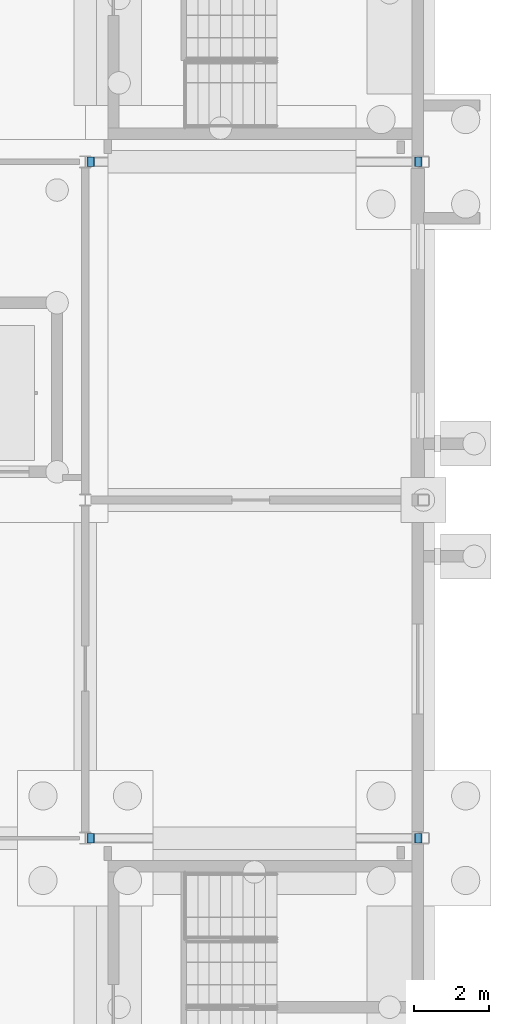
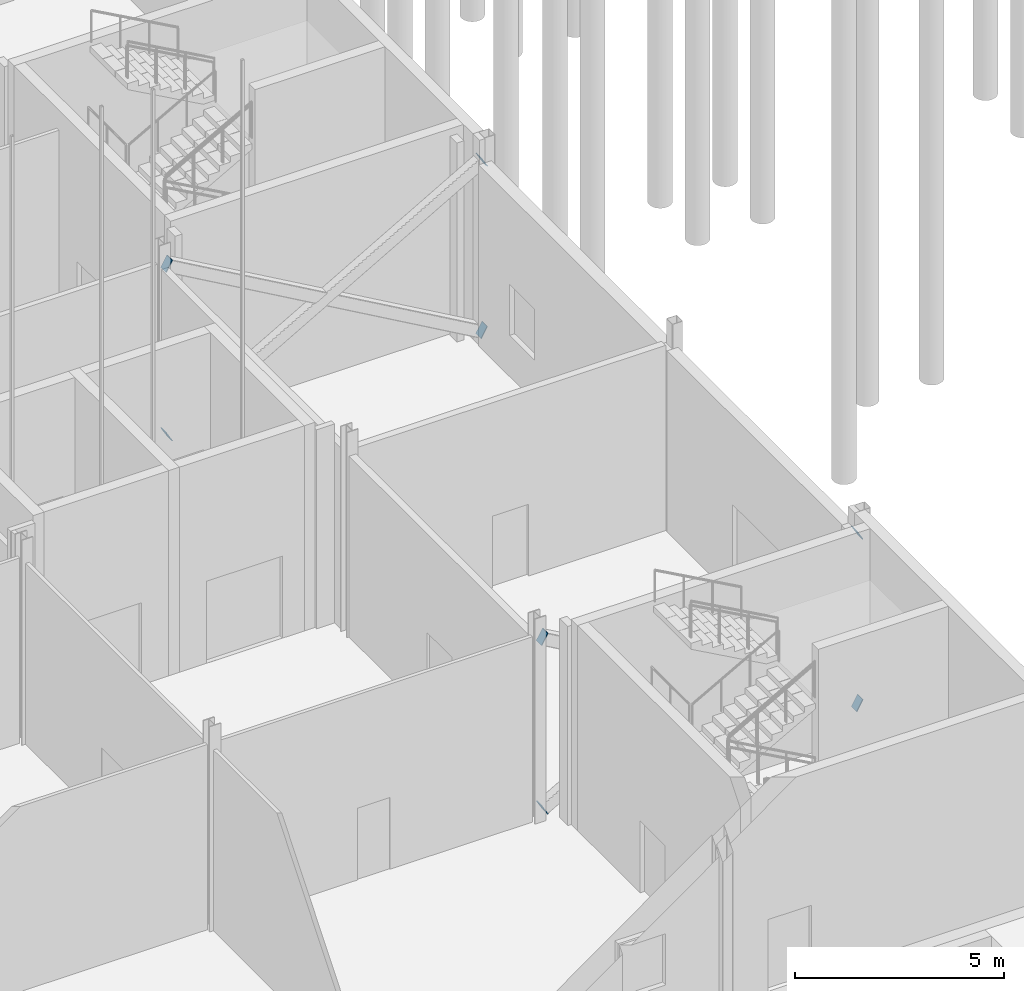
# One storey, part 121 of 139: 8 discrete accessories.
"""IFC4 building model written with IfcOpenShell, lengths in metres."""

from ifc_helpers import new_model, si_unit, direction, frame, origin, place, context, subcontext, project, spatial, polyline, outline, extrude, material, layer, layer_set, type_object, element, save


model = new_model("IFC4")

# Units and contexts
model_context = context("Model", 3, precision=1e-05, world=origin(), true_north=direction((0.0, 1.0)))
body_context = subcontext(model_context, "Body", "Model", "MODEL_VIEW")
ifc_project = project(units=[si_unit("LENGTHUNIT", "METRE"), si_unit("AREAUNIT", "SQUARE_METRE"), si_unit("VOLUMEUNIT", "CUBIC_METRE"), si_unit("PLANEANGLEUNIT", "RADIAN"), si_unit("MASSUNIT", "GRAM", prefix="KILO")], contexts=[model_context])

# Site, building, storey
site_placement = place(None, origin())
site = spatial("IfcSite", under=ifc_project, at=site_placement, CompositionType="ELEMENT")
building_placement = place(site_placement, origin())
building = spatial("IfcBuilding", under=site, at=building_placement, Name="Shorebreak Coast Museum", CompositionType="ELEMENT")
storey_placement = place(building_placement, origin())
storey = spatial("IfcBuildingStorey", under=building, at=storey_placement, Name="L00", CompositionType="ELEMENT", Elevation=0.0)

# Discrete accessories
ifc_material = material(Name="Steel Grade 300", Category="steel")
ifc_layer = layer(ifc_material, 0.02490234375)
ifc_layer_set = layer_set([ifc_layer], Name="Steel Grade 300")
discrete_accessory_type = type_object("IfcDiscreteAccessoryType", Name="End plate 250 x 350 x 25", PredefinedType="BRACKET", material=ifc_layer_set)
discrete_accessory_1_placement = place(storey_placement, frame((108.241455078125, 8.875, 0.148193359375), z_axis=(0.86789946656, 0.0, 0.496739887613), x_axis=(0.0, 1.0, 0.0)))
element("IfcDiscreteAccessory", 1, at=discrete_accessory_1_placement, inside=storey, type_object=discrete_accessory_type, Name="End plate X-brace bay 14 L00 diagonal 1 end 1", PredefinedType="BRACKET", context=body_context, shape_type="SweptSolid", body=[
    extrude(outline(polyline([(0.0, 0.0), (0.25, 0.0), (0.25, 0.34993792392100703), (0.0, 0.34993792392100703), (0.0, 0.0)])), origin(), (0.0, 0.0, -1.0), 0.02490234375),
])
discrete_accessory_2_placement = place(storey_placement, frame((116.95849609375, 8.875, 5.135498046875), z_axis=(0.868200190556, 0.0, 0.496214096049), x_axis=(0.0, 1.0, 0.0)))
element("IfcDiscreteAccessory", 2, at=discrete_accessory_2_placement, inside=storey, type_object=discrete_accessory_type, Name="End plate X-brace bay 14 L00 diagonal 1 end 2", PredefinedType="BRACKET", context=body_context, shape_type="SweptSolid", body=[
    extrude(outline(polyline([(0.0, 0.0), (0.25, 0.0), (0.25, 0.3498167137068055), (0.0, 0.3498167137068055), (0.0, 0.0)])), origin(), (0.0, 0.0, -1.0), 0.02490234375),
])
for number, where, z_axis, x_axis, name in (
    (3, (116.76318359375, 9.125, 0.148193359375), (-0.86789946656, 0.0, 0.496739887613), (0.0, -1.0, 0.0), "End plate X-brace bay 14 L00 diagonal 2 end 1"),
    (4, (108.0458984375, 9.125, 5.135498046875), (-0.86789946656, 0.0, 0.496739887613), (0.0, -1.0, 0.0), "End plate X-brace bay 14 L00 diagonal 2 end 2"),
    (5, (108.241455078125, 26.875, 0.148193359375), (0.86789946656, 0.0, 0.496739887613), (0.0, 1.0, 0.0), "End plate X-brace bay 17 L00 diagonal 1 end 1"),
):
    element("IfcDiscreteAccessory", number, at=place(storey_placement, frame(where, z_axis=z_axis, x_axis=x_axis)), inside=storey, type_object=discrete_accessory_type, Name=name, PredefinedType="BRACKET", context=body_context, shape_type="SweptSolid", body=[
        extrude(outline(polyline([(0.0, 0.0), (0.25, 0.0), (0.25, 0.34993792392100703), (0.0, 0.34993792392100703), (0.0, 0.0)])), origin(), (0.0, 0.0, -1.0), 0.02490234375),
    ])
discrete_accessory_3_placement = place(storey_placement, frame((116.95849609375, 26.875, 5.135498046875), z_axis=(0.868200190556, 0.0, 0.496214096049), x_axis=(0.0, 1.0, 0.0)))
element("IfcDiscreteAccessory", 6, at=discrete_accessory_3_placement, inside=storey, type_object=discrete_accessory_type, Name="End plate X-brace bay 17 L00 diagonal 1 end 2", PredefinedType="BRACKET", context=body_context, shape_type="SweptSolid", body=[
    extrude(outline(polyline([(0.0, 0.0), (0.25, 0.0), (0.25, 0.3498167137068055), (0.0, 0.3498167137068055), (0.0, 0.0)])), origin(), (0.0, 0.0, -1.0), 0.02490234375),
])
for number, where, z_axis, x_axis, name in (
    (7, (116.76318359375, 27.125, 0.148193359375), (-0.86789946656, 0.0, 0.496739887613), (0.0, -1.0, 0.0), "End plate X-brace bay 17 L00 diagonal 2 end 1"),
    (8, (108.0458984375, 27.125, 5.135498046875), (-0.86789946656, 0.0, 0.496739887613), (0.0, -1.0, 0.0), "End plate X-brace bay 17 L00 diagonal 2 end 2"),
):
    element("IfcDiscreteAccessory", number, at=place(storey_placement, frame(where, z_axis=z_axis, x_axis=x_axis)), inside=storey, type_object=discrete_accessory_type, Name=name, PredefinedType="BRACKET", context=body_context, shape_type="SweptSolid", body=[
        extrude(outline(polyline([(0.0, 0.0), (0.25, 0.0), (0.25, 0.34993792392100703), (0.0, 0.34993792392100703), (0.0, 0.0)])), origin(), (0.0, 0.0, -1.0), 0.02490234375),
    ])

save(model, "model.ifc")
